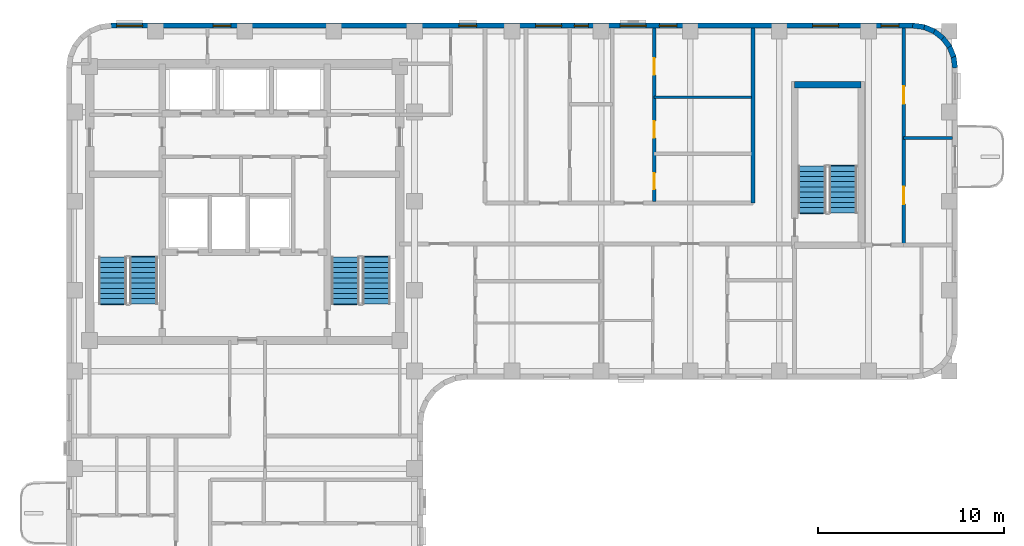
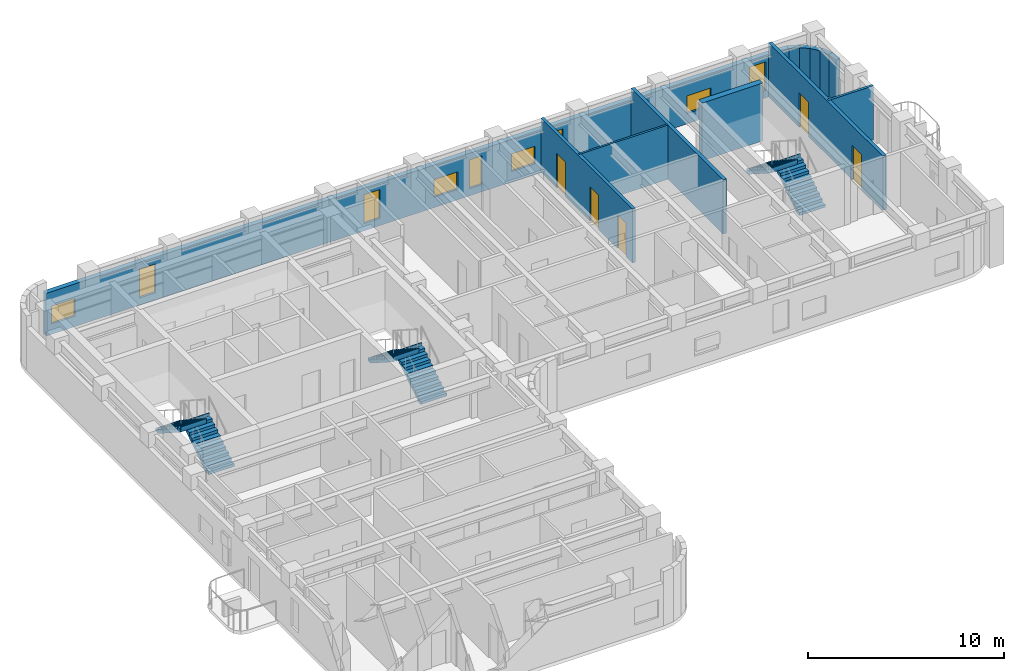
# One storey, part 7 of 10: 13 walls, 9 windows, 6 stair flights, 5 doors, 14 openings, 3 elements without a shape of their own.
"""IFC4 building model written with IfcOpenShell, lengths in metres."""

from ifc_helpers import new_model, si_unit, direction, frame, frame_2d, origin, place, context, subcontext, project, spatial, polyline, rectangle, outline, extrude, material, layer, layer_set, type_object, element, fill, aggregate, save


model = new_model("IFC4")

# Units and contexts
model_context = context("Model", 3, precision=1e-05, world=origin(), true_north=direction((0.0, 1.0)))
body_context = subcontext(model_context, "Body", "Model", "MODEL_VIEW")
ifc_project = project(units=[si_unit("LENGTHUNIT", "METRE"), si_unit("AREAUNIT", "SQUARE_METRE"), si_unit("VOLUMEUNIT", "CUBIC_METRE"), si_unit("PLANEANGLEUNIT", "RADIAN"), si_unit("MASSUNIT", "GRAM", prefix="KILO")], contexts=[model_context])

# Site, building, storey
site_placement = place(None, origin())
site = spatial("IfcSite", under=ifc_project, at=site_placement, CompositionType="ELEMENT")
building_placement = place(site_placement, origin())
building = spatial("IfcBuilding", under=site, at=building_placement, Name="Orvandelia Arch Residences", CompositionType="ELEMENT")
storey_placement = place(building_placement, frame((0.0, 0.0, 221.800048828125)))
storey = spatial("IfcBuildingStorey", under=building, at=storey_placement, Name="L58", CompositionType="ELEMENT", Elevation=221.800048828125)

# Walls
ifc_material_1 = material(Name="Concrete C50/60", Category="concrete")
ifc_layer_1 = layer(ifc_material_1, 0.35009765625, Name="Concrete C50/60", Category="concrete")
ifc_layer_set_1 = layer_set([ifc_layer_1], Name="Concrete C50/60")
wall_type_1 = type_object("IfcWallType", Name="WL-CORE-350", PredefinedType="SHEAR", material=ifc_layer_set_1)
wall_1_placement = place(storey_placement, frame((44.02001953125, 44.659912109375, 0.0), z_axis=(0.0, 0.0, 1.0), x_axis=(1.0, 0.0, 0.0)))
element("IfcWall", 1, at=wall_1_placement, inside=storey, type_object=wall_type_1, Name="East Stair Core Shear Wall L58-N", PredefinedType="SHEAR", context=body_context, shape_type="SweptSolid", body=[
    extrude(rectangle(XDim=3.580078125, YDim=0.35009765625, at=frame_2d((1.7900390625, 0.0))), origin(), (0.0, 0.0, 1.0), 3.599853515625),
])
ifc_material_2 = material(Name="Fire-Rated Corridor Partition")
ifc_layer_2 = layer(ifc_material_2, 0.199951171875, Name="Fire-Rated Corridor Partition")
ifc_layer_set_2 = layer_set([ifc_layer_2], Name="Fire-Rated Corridor Partition")
wall_type_2 = type_object("IfcWallType", Name="WL-CORR-200", PredefinedType="PARTITIONING", material=ifc_layer_set_2)
wall_2_placement = place(storey_placement, frame((41.780029296875, 38.300048828125, 0.0), z_axis=(0.0, 0.0, 1.0), x_axis=(0.0, 1.0, 0.0)))
element("IfcWall", 2, at=wall_2_placement, inside=storey, type_object=wall_type_2, Name="Interior Partition Wall WL-L58-ETV-W", PredefinedType="PARTITIONING", context=body_context, shape_type="SweptSolid", body=[
    extrude(rectangle(XDim=9.419921875, YDim=0.199951171875, at=frame_2d((4.7099609375, 0.0))), origin(), (0.0, 0.0, 1.0), 3.3798828125),
])

# Wall, openings, doors
wall_3_placement = place(storey_placement, frame((49.89990234375, 36.0400390625, 0.0), z_axis=(0.0, 0.0, 1.0), x_axis=(0.0, 1.0, 0.0)))
wall_3 = element("IfcWall", 3, at=wall_3_placement, inside=storey, type_object=wall_type_2, Name="Interior Partition Wall WL-L58-ETE-E", PredefinedType="PARTITIONING", context=body_context, shape_type="SweptSolid", body=[
    extrude(rectangle(XDim=11.679931640625, YDim=0.199951171875, at=frame_2d((5.83984375, 0.0))), origin(), (0.0, 0.0, 1.0), 3.3798828125),
])
opening_1_placement = place(wall_3_placement, frame((2.199951171875, 0.0, 0.0)))
opening_1 = element("IfcOpeningElement", 4, at=opening_1_placement, cuts=wall_3, Name="Opening D2", PredefinedType="OPENING", context=body_context, shape_type="SweptSolid", body=[
    extrude(rectangle(XDim=0.949951171875, YDim=2.14990234375, at=frame_2d((0.47509765625, 1.074951171875))), frame((0.0, 0.10986328125, 0.0), z_axis=(0.0, -1.0, 0.0), x_axis=(1.0, 0.0, 0.0)), (0.0, 0.0, 1.0), 0.219970703125),
])
opening_2_placement = place(wall_3_placement, frame((7.60009765625, 0.0, 0.0)))
opening_2 = element("IfcOpeningElement", 5, at=opening_2_placement, cuts=wall_3, Name="Opening D2", PredefinedType="OPENING", context=body_context, shape_type="SweptSolid", body=[
    extrude(rectangle(XDim=0.949951171875, YDim=2.14990234375, at=frame_2d((0.47509765625, 1.074951171875))), frame((0.0, 0.10986328125, 0.0), z_axis=(0.0, -1.0, 0.0), x_axis=(1.0, 0.0, 0.0)), (0.0, 0.0, 1.0), 0.219970703125),
])
ifc_material_3 = material(Name="Solid-Core Timber Interior Fire Door", Category="wood")
door_type_1 = type_object("IfcDoorType", Name="DR-APT-950", OperationType="NOTDEFINED", PredefinedType="DOOR", material=ifc_material_3)
door_1_placement = place(opening_1_placement, origin())
door_1 = element("IfcDoor", 6, at=door_1_placement, inside=storey, type_object=door_type_1, Name="DR-L58-EMTP1", OperationType="SINGLE_SWING_LEFT", OverallHeight=2.14990234375, OverallWidth=0.949951171875, PredefinedType="DOOR", context=body_context, shape_type="SweptSolid", body=[
    extrude(rectangle(XDim=0.949951171875, YDim=2.14990234375, at=frame_2d((0.47509765625, 1.074951171875))), frame((0.0, 0.02490234375, 0.0), z_axis=(0.0, -1.0, 0.0), x_axis=(1.0, 0.0, 0.0)), (0.0, 0.0, 1.0), 0.050048828125),
])
fill(opening_1, door_1)
door_2_placement = place(opening_2_placement, origin())
door_2 = element("IfcDoor", 7, at=door_2_placement, inside=storey, type_object=door_type_1, Name="DR-L58-EMTP2", OperationType="SINGLE_SWING_RIGHT", OverallHeight=2.14990234375, OverallWidth=0.949951171875, PredefinedType="DOOR", context=body_context, shape_type="SweptSolid", body=[
    extrude(rectangle(XDim=0.949951171875, YDim=2.14990234375, at=frame_2d((0.47509765625, 1.074951171875))), frame((0.0, 0.02490234375, 0.0), z_axis=(0.0, -1.0, 0.0), x_axis=(1.0, 0.0, 0.0)), (0.0, 0.0, 1.0), 0.050048828125),
])
fill(opening_2, door_2)

# Wall, openings, windows
ifc_material_4 = material(Name="Precast concrete C40/50", Category="concrete")
ifc_layer_3 = layer(ifc_material_4, 0.280029296875, Name="Precast concrete C40/50", Category="concrete")
ifc_layer_set_3 = layer_set([ifc_layer_3], Name="Precast concrete C40/50")
wall_type_3 = type_object("IfcWallType", Name="WL-EXT-STONE-280", PredefinedType="STANDARD", material=ifc_layer_set_3)
wall_4_placement = place(storey_placement, frame((7.199951171875, 47.860107421875, 0.0), z_axis=(0.0, 0.0, 1.0), x_axis=(1.0, 0.0, 0.0)))
wall_4 = element("IfcWall", 8, at=wall_4_placement, inside=storey, type_object=wall_type_3, Name="Coral-Limestone Precast Facade Wall L58-007", PredefinedType="STANDARD", context=body_context, shape_type="SweptSolid", body=[
    extrude(rectangle(XDim=43.199951171875, YDim=0.280029296875, at=frame_2d((21.60009765625, 0.0))), origin(), (0.0, 0.0, 1.0), 2.659912109375),
])
opening_3_placement = place(wall_4_placement, frame((22.8701171875, 0.0, 0.64990234375)))
opening_3 = element("IfcOpeningElement", 9, at=opening_3_placement, cuts=wall_4, Name="Opening W10", PredefinedType="OPENING", context=body_context, shape_type="SweptSolid", body=[
    extrude(rectangle(XDim=1.39990234375, YDim=1.10009765625, at=frame_2d((0.699951171875, 0.550048828125))), frame((0.0, 0.14990234375, 0.0), z_axis=(0.0, -1.0, 0.0), x_axis=(1.0, 0.0, 0.0)), (0.0, 0.0, 1.0), 0.300048828125),
])
opening_4_placement = place(wall_4_placement, frame((29.532470703125, 0.0, 0.449951171875)))
opening_4 = element("IfcOpeningElement", 10, at=opening_4_placement, cuts=wall_4, Name="Opening W4", PredefinedType="OPENING", context=body_context, shape_type="SweptSolid", body=[
    extrude(rectangle(XDim=0.949951171875, YDim=1.800048828125, at=frame_2d((0.47509765625, 0.89990234375))), frame((0.0, 0.14990234375, 0.0), z_axis=(0.0, -1.0, 0.0), x_axis=(1.0, 0.0, 0.0)), (0.0, 0.0, 1.0), 0.300048828125),
])
opening_5_placement = place(wall_4_placement, frame((18.739990234375, 0.0, 0.449951171875)))
opening_5 = element("IfcOpeningElement", 11, at=opening_5_placement, cuts=wall_4, Name="Opening W4", PredefinedType="OPENING", context=body_context, shape_type="SweptSolid", body=[
    extrude(rectangle(XDim=0.949951171875, YDim=1.800048828125, at=frame_2d((0.47509765625, 0.89990234375))), frame((0.0, 0.14990234375, 0.0), z_axis=(0.0, -1.0, 0.0), x_axis=(1.0, 0.0, 0.0)), (0.0, 0.0, 1.0), 0.300048828125),
])
opening_6_placement = place(wall_4_placement, frame((41.487548828125, 0.0, 0.449951171875)))
opening_6 = element("IfcOpeningElement", 12, at=opening_6_placement, cuts=wall_4, Name="Opening W4", PredefinedType="OPENING", context=body_context, shape_type="SweptSolid", body=[
    extrude(rectangle(XDim=0.949951171875, YDim=1.800048828125, at=frame_2d((0.47509765625, 0.89990234375))), frame((0.0, 0.14990234375, 0.0), z_axis=(0.0, -1.0, 0.0), x_axis=(1.0, 0.0, 0.0)), (0.0, 0.0, 1.0), 0.300048828125),
])
opening_7_placement = place(wall_4_placement, frame((37.798583984375, 0.0, 0.64990234375)))
opening_7 = element("IfcOpeningElement", 13, at=opening_7_placement, cuts=wall_4, Name="Opening W10", PredefinedType="OPENING", context=body_context, shape_type="SweptSolid", body=[
    extrude(rectangle(XDim=1.39990234375, YDim=1.10009765625, at=frame_2d((0.699951171875, 0.550048828125))), frame((0.0, 0.14990234375, 0.0), z_axis=(0.0, -1.0, 0.0), x_axis=(1.0, 0.0, 0.0)), (0.0, 0.0, 1.0), 0.300048828125),
])
opening_8_placement = place(wall_4_placement, frame((0.3076171875, 0.0, 0.64990234375)))
opening_8 = element("IfcOpeningElement", 14, at=opening_8_placement, cuts=wall_4, Name="Opening W10", PredefinedType="OPENING", context=body_context, shape_type="SweptSolid", body=[
    extrude(rectangle(XDim=1.39990234375, YDim=1.10009765625, at=frame_2d((0.699951171875, 0.550048828125))), frame((0.0, 0.14990234375, 0.0), z_axis=(0.0, -1.0, 0.0), x_axis=(1.0, 0.0, 0.0)), (0.0, 0.0, 1.0), 0.300048828125),
])
opening_9_placement = place(wall_4_placement, frame((5.50244140625, 0.0, 0.449951171875)))
opening_9 = element("IfcOpeningElement", 15, at=opening_9_placement, cuts=wall_4, Name="Opening W4", PredefinedType="OPENING", context=body_context, shape_type="SweptSolid", body=[
    extrude(rectangle(XDim=0.949951171875, YDim=1.800048828125, at=frame_2d((0.47509765625, 0.89990234375))), frame((0.0, 0.14990234375, 0.0), z_axis=(0.0, -1.0, 0.0), x_axis=(1.0, 0.0, 0.0)), (0.0, 0.0, 1.0), 0.300048828125),
])
opening_10_placement = place(wall_4_placement, frame((24.95751953125, 0.0, 0.449951171875)))
opening_10 = element("IfcOpeningElement", 16, at=opening_10_placement, cuts=wall_4, Name="Opening W11", PredefinedType="OPENING", context=body_context, shape_type="SweptSolid", body=[
    extrude(rectangle(XDim=0.75, YDim=1.800048828125, at=frame_2d((0.375, 0.89990234375))), frame((0.0, 0.14990234375, 0.0), z_axis=(0.0, -1.0, 0.0), x_axis=(1.0, 0.0, 0.0)), (0.0, 0.0, 1.0), 0.300048828125),
])
opening_11_placement = place(wall_4_placement, frame((27.429931640625, 0.0, 0.64990234375)))
opening_11 = element("IfcOpeningElement", 17, at=opening_11_placement, cuts=wall_4, Name="Opening W10", PredefinedType="OPENING", context=body_context, shape_type="SweptSolid", body=[
    extrude(rectangle(XDim=1.39990234375, YDim=1.10009765625, at=frame_2d((0.699951171875, 0.550048828125))), frame((0.0, 0.14990234375, 0.0), z_axis=(0.0, -1.0, 0.0), x_axis=(1.0, 0.0, 0.0)), (0.0, 0.0, 1.0), 0.300048828125),
])
ifc_material_5 = material(Name="Tempered Low-E Insulated Glazing", Category="glass")
window_type_1 = type_object("IfcWindowType", Name="WIN-BED-0750x1800", PartitioningType="SINGLE_PANEL", PredefinedType="WINDOW", material=ifc_material_5)
window_1_placement = place(opening_10_placement, origin())
window_1 = element("IfcWindow", 18, at=window_1_placement, inside=storey, type_object=window_type_1, Name="Recessed Punched Window L58-008", OverallHeight=1.800048828125, OverallWidth=0.75, PartitioningType="SINGLE_PANEL", PredefinedType="WINDOW", context=body_context, shape_type="SweptSolid", body=[
    extrude(rectangle(XDim=0.75, YDim=1.800048828125, at=frame_2d((0.375, 0.89990234375))), frame((0.0, 0.030029296875, 0.0), z_axis=(0.0, -1.0, 0.0), x_axis=(1.0, 0.0, 0.0)), (0.0, 0.0, 1.0), 0.06005859375),
])
fill(opening_10, window_1)
window_type_2 = type_object("IfcWindowType", Name="WIN-CLR-1400x1100", PartitioningType="SINGLE_PANEL", PredefinedType="WINDOW", material=ifc_material_5)
window_2_placement = place(opening_3_placement, origin())
window_2 = element("IfcWindow", 19, at=window_2_placement, inside=storey, type_object=window_type_2, Name="Recessed Punched Window L58-001", OverallHeight=1.10009765625, OverallWidth=1.39990234375, PartitioningType="SINGLE_PANEL", PredefinedType="WINDOW", context=body_context, shape_type="SweptSolid", body=[
    extrude(rectangle(XDim=1.39990234375, YDim=1.10009765625, at=frame_2d((0.699951171875, 0.550048828125))), frame((0.0, 0.030029296875, 0.0), z_axis=(0.0, -1.0, 0.0), x_axis=(1.0, 0.0, 0.0)), (0.0, 0.0, 1.0), 0.06005859375),
])
fill(opening_3, window_2)
window_3_placement = place(opening_7_placement, origin())
window_3 = element("IfcWindow", 20, at=window_3_placement, inside=storey, type_object=window_type_2, Name="Recessed Punched Window L58-005", OverallHeight=1.10009765625, OverallWidth=1.39990234375, PartitioningType="SINGLE_PANEL", PredefinedType="WINDOW", context=body_context, shape_type="SweptSolid", body=[
    extrude(rectangle(XDim=1.39990234375, YDim=1.10009765625, at=frame_2d((0.699951171875, 0.550048828125))), frame((0.0, 0.030029296875, 0.0), z_axis=(0.0, -1.0, 0.0), x_axis=(1.0, 0.0, 0.0)), (0.0, 0.0, 1.0), 0.06005859375),
])
fill(opening_7, window_3)
window_4_placement = place(opening_8_placement, origin())
window_4 = element("IfcWindow", 21, at=window_4_placement, inside=storey, type_object=window_type_2, Name="Recessed Punched Window L58-006", OverallHeight=1.10009765625, OverallWidth=1.39990234375, PartitioningType="SINGLE_PANEL", PredefinedType="WINDOW", context=body_context, shape_type="SweptSolid", body=[
    extrude(rectangle(XDim=1.39990234375, YDim=1.10009765625, at=frame_2d((0.699951171875, 0.550048828125))), frame((0.0, 0.030029296875, 0.0), z_axis=(0.0, -1.0, 0.0), x_axis=(1.0, 0.0, 0.0)), (0.0, 0.0, 1.0), 0.06005859375),
])
fill(opening_8, window_4)
window_5_placement = place(opening_11_placement, origin())
window_5 = element("IfcWindow", 22, at=window_5_placement, inside=storey, type_object=window_type_2, Name="Recessed Punched Window L58-009", OverallHeight=1.10009765625, OverallWidth=1.39990234375, PartitioningType="SINGLE_PANEL", PredefinedType="WINDOW", context=body_context, shape_type="SweptSolid", body=[
    extrude(rectangle(XDim=1.39990234375, YDim=1.10009765625, at=frame_2d((0.699951171875, 0.550048828125))), frame((0.0, 0.030029296875, 0.0), z_axis=(0.0, -1.0, 0.0), x_axis=(1.0, 0.0, 0.0)), (0.0, 0.0, 1.0), 0.06005859375),
])
fill(opening_11, window_5)
window_type_3 = type_object("IfcWindowType", Name="WIN-RES-0950x1800", PartitioningType="SINGLE_PANEL", PredefinedType="WINDOW", material=ifc_material_5)
window_6_placement = place(opening_4_placement, origin())
window_6 = element("IfcWindow", 23, at=window_6_placement, inside=storey, type_object=window_type_3, Name="Recessed Punched Window L58-002", OverallHeight=1.800048828125, OverallWidth=0.949951171875, PartitioningType="SINGLE_PANEL", PredefinedType="WINDOW", context=body_context, shape_type="SweptSolid", body=[
    extrude(rectangle(XDim=0.949951171875, YDim=1.800048828125, at=frame_2d((0.47509765625, 0.89990234375))), frame((0.0, 0.030029296875, 0.0), z_axis=(0.0, -1.0, 0.0), x_axis=(1.0, 0.0, 0.0)), (0.0, 0.0, 1.0), 0.06005859375),
])
fill(opening_4, window_6)
window_7_placement = place(opening_5_placement, origin())
window_7 = element("IfcWindow", 24, at=window_7_placement, inside=storey, type_object=window_type_3, Name="Recessed Punched Window L58-003", OverallHeight=1.800048828125, OverallWidth=0.949951171875, PartitioningType="SINGLE_PANEL", PredefinedType="WINDOW", context=body_context, shape_type="SweptSolid", body=[
    extrude(rectangle(XDim=0.949951171875, YDim=1.800048828125, at=frame_2d((0.47509765625, 0.89990234375))), frame((0.0, 0.030029296875, 0.0), z_axis=(0.0, -1.0, 0.0), x_axis=(1.0, 0.0, 0.0)), (0.0, 0.0, 1.0), 0.06005859375),
])
fill(opening_5, window_7)
window_8_placement = place(opening_6_placement, origin())
window_8 = element("IfcWindow", 25, at=window_8_placement, inside=storey, type_object=window_type_3, Name="Recessed Punched Window L58-004", OverallHeight=1.800048828125, OverallWidth=0.949951171875, PartitioningType="SINGLE_PANEL", PredefinedType="WINDOW", context=body_context, shape_type="SweptSolid", body=[
    extrude(rectangle(XDim=0.949951171875, YDim=1.800048828125, at=frame_2d((0.47509765625, 0.89990234375))), frame((0.0, 0.030029296875, 0.0), z_axis=(0.0, -1.0, 0.0), x_axis=(1.0, 0.0, 0.0)), (0.0, 0.0, 1.0), 0.06005859375),
])
fill(opening_6, window_8)
window_9_placement = place(opening_9_placement, origin())
window_9 = element("IfcWindow", 26, at=window_9_placement, inside=storey, type_object=window_type_3, Name="Recessed Punched Window L58-007", OverallHeight=1.800048828125, OverallWidth=0.949951171875, PartitioningType="SINGLE_PANEL", PredefinedType="WINDOW", context=body_context, shape_type="SweptSolid", body=[
    extrude(rectangle(XDim=0.949951171875, YDim=1.800048828125, at=frame_2d((0.47509765625, 0.89990234375))), frame((0.0, 0.030029296875, 0.0), z_axis=(0.0, -1.0, 0.0), x_axis=(1.0, 0.0, 0.0)), (0.0, 0.0, 1.0), 0.06005859375),
])
fill(opening_9, window_9)

# Walls
wall_5_placement = place(storey_placement, frame((50.381591796875, 47.861083984375, 0.0), z_axis=(0.0, 0.0, 1.0), x_axis=(0.991447664465, -0.130504898859, 0.0)))
element("IfcWall", 27, at=wall_5_placement, inside=storey, type_object=wall_type_3, Name="Coral-Limestone Precast Facade Wall L58-008", PredefinedType="STANDARD", context=body_context, shape_type="SweptSolid", body=[
    extrude(rectangle(XDim=0.626708984375, YDim=0.280029296875, at=frame_2d((0.3134765625, 0.0))), origin(), (0.0, 0.0, 1.0), 2.659912109375),
])
for number, where, z_axis, x_axis, name in (
    (28, (50.967529296875, 47.788818359375, 0.0), (0.0, 0.0, 1.0), (0.924031075431, -0.382317370307, 0.0), "Coral-Limestone Precast Facade Wall L58-009"),
    (29, (51.514892578125, 47.5673828125, 0.0), (0.0, 0.0, 1.0), (0.793405610854, -0.608693302629, 0.0), "Coral-Limestone Precast Facade Wall L58-010"),
    (30, (51.986083984375, 47.2119140625, 0.0), (0.0, 0.0, 1.0), (0.608693302629, -0.793405610854, 0.0), "Coral-Limestone Precast Facade Wall L58-011"),
    (31, (52.34912109375, 46.746337890625, 0.0), (0.0, 0.0, 1.0), (0.382650053678, -0.92389335771, 0.0), "Coral-Limestone Precast Facade Wall L58-012"),
    (32, (52.579345703125, 46.202880859375, 0.0), (0.0, 0.0, 1.0), (0.130555323746, -0.9914410257, 0.0), "Coral-Limestone Precast Facade Wall L58-013"),
):
    element("IfcWall", number, at=place(storey_placement, frame(where, z_axis=z_axis, x_axis=x_axis)), inside=storey, type_object=wall_type_3, Name=name, PredefinedType="STANDARD", context=body_context, shape_type="SweptSolid", body=[
        extrude(rectangle(XDim=0.62646484375, YDim=0.280029296875, at=frame_2d((0.313232421875, 0.0))), origin(), (0.0, 0.0, 1.0), 2.659912109375),
    ])
ifc_material_6 = material(Name="Lightweight Gypsum Stud Partition")
ifc_layer_4 = layer(ifc_material_6, 0.1201171875, Name="Lightweight Gypsum Stud Partition")
ifc_layer_set_4 = layer_set([ifc_layer_4], Name="Lightweight Gypsum Stud Partition")
wall_type_4 = type_object("IfcWallType", Name="WL-PART-120", PredefinedType="PARTITIONING", material=ifc_layer_set_4)
wall_6_placement = place(storey_placement, frame((36.4599609375, 43.99609375, 0.0), z_axis=(0.0, 0.0, 1.0), x_axis=(1.0, 0.0, 0.0)))
element("IfcWall", 33, at=wall_6_placement, inside=storey, type_object=wall_type_4, Name="Interior Partition Wall WL-L58-U08-H2", PredefinedType="PARTITIONING", context=body_context, shape_type="SweptSolid", body=[
    extrude(rectangle(XDim=5.239990234375, YDim=0.1201171875, at=frame_2d((2.6201171875, 0.0))), origin(), (0.0, 0.0, 1.0), 3.3798828125),
])
ifc_material_7 = material(Name="Acoustic Gypsum Stud Partition")
ifc_layer_5 = layer(ifc_material_7, 0.14990234375, Name="Acoustic Gypsum Stud Partition")
ifc_layer_set_5 = layer_set([ifc_layer_5], Name="Acoustic Gypsum Stud Partition")
wall_type_5 = type_object("IfcWallType", Name="WL-PART-150", PredefinedType="PARTITIONING", material=ifc_layer_set_5)
wall_7_placement = place(storey_placement, frame((49.89990234375, 41.800048828125, 0.0), z_axis=(0.0, 0.0, 1.0), x_axis=(1.0, 0.0, 0.0)))
element("IfcWall", 34, at=wall_7_placement, inside=storey, type_object=wall_type_5, Name="Interior Partition Wall WL-L58-EMTIP-M", PredefinedType="PARTITIONING", context=body_context, shape_type="SweptSolid", body=[
    extrude(rectangle(XDim=2.6201171875, YDim=0.14990234375, at=frame_2d((1.31005859375, 0.0))), origin(), (0.0, 0.0, 1.0), 3.3798828125),
])

# Wall, openings, doors
ifc_material_8 = material(Name="Moisture-Resistant Plumbing Wall")
ifc_layer_6 = layer(ifc_material_8, 0.179931640625, Name="Moisture-Resistant Plumbing Wall")
ifc_layer_set_6 = layer_set([ifc_layer_6], Name="Moisture-Resistant Plumbing Wall")
wall_type_6 = type_object("IfcWallType", Name="WL-WET-180", PredefinedType="PLUMBINGWALL", material=ifc_layer_set_6)
wall_8_placement = place(storey_placement, frame((36.4599609375, 38.3798828125, 0.0), z_axis=(0.0, 0.0, 1.0), x_axis=(0.0, 1.0, 0.0)))
wall_8 = element("IfcWall", 35, at=wall_8_placement, inside=storey, type_object=wall_type_6, Name="Interior Partition Wall WL-L58-U08-VT", PredefinedType="PLUMBINGWALL", context=body_context, shape_type="SweptSolid", body=[
    extrude(rectangle(XDim=9.340087890625, YDim=0.179931640625, at=frame_2d((4.669921875, 0.0))), origin(), (0.0, 0.0, 1.0), 3.3798828125),
])
opening_12_placement = place(wall_8_placement, frame((0.66748046875, 0.0, 0.0)))
opening_12 = element("IfcOpeningElement", 36, at=opening_12_placement, cuts=wall_8, Name="Opening D4", PredefinedType="OPENING", context=body_context, shape_type="SweptSolid", body=[
    extrude(rectangle(XDim=0.860107421875, YDim=2.10009765625, at=frame_2d((0.43017578125, 1.050048828125))), frame((0.0, 0.10009765625, 0.0), z_axis=(0.0, -1.0, 0.0), x_axis=(1.0, 0.0, 0.0)), (0.0, 0.0, 1.0), 0.199951171875),
])
opening_13_placement = place(wall_8_placement, frame((3.430419921875, 0.0, 0.0)))
opening_13 = element("IfcOpeningElement", 37, at=opening_13_placement, cuts=wall_8, Name="Opening D3", PredefinedType="OPENING", context=body_context, shape_type="SweptSolid", body=[
    extrude(rectangle(XDim=0.89990234375, YDim=2.14990234375, at=frame_2d((0.449951171875, 1.074951171875))), frame((0.0, 0.10009765625, 0.0), z_axis=(0.0, -1.0, 0.0), x_axis=(1.0, 0.0, 0.0)), (0.0, 0.0, 1.0), 0.199951171875),
])
opening_14_placement = place(wall_8_placement, frame((6.828369140625, 0.0, 0.0)))
opening_14 = element("IfcOpeningElement", 38, at=opening_14_placement, cuts=wall_8, Name="Opening D3", PredefinedType="OPENING", context=body_context, shape_type="SweptSolid", body=[
    extrude(rectangle(XDim=0.89990234375, YDim=2.14990234375, at=frame_2d((0.449951171875, 1.074951171875))), frame((0.0, 0.10009765625, 0.0), z_axis=(0.0, -1.0, 0.0), x_axis=(1.0, 0.0, 0.0)), (0.0, 0.0, 1.0), 0.199951171875),
])
ifc_material_9 = material(Name="Engineered Timber Flush Door", Category="wood")
door_type_2 = type_object("IfcDoorType", Name="DR-INT-900", OperationType="NOTDEFINED", PredefinedType="DOOR", material=ifc_material_9)
door_3_placement = place(opening_13_placement, origin())
door_3 = element("IfcDoor", 39, at=door_3_placement, inside=storey, type_object=door_type_2, Name="DR-L58-U08-KIT", OperationType="SINGLE_SWING_RIGHT", OverallHeight=2.14990234375, OverallWidth=0.89990234375, PredefinedType="DOOR", context=body_context, shape_type="SweptSolid", body=[
    extrude(rectangle(XDim=0.89990234375, YDim=2.14990234375, at=frame_2d((0.449951171875, 1.074951171875))), frame((0.0, 0.02490234375, 0.0), z_axis=(0.0, -1.0, 0.0), x_axis=(1.0, 0.0, 0.0)), (0.0, 0.0, 1.0), 0.050048828125),
])
fill(opening_13, door_3)
door_4_placement = place(opening_14_placement, origin())
door_4 = element("IfcDoor", 40, at=door_4_placement, inside=storey, type_object=door_type_2, Name="DR-L58-U08-BD1", OperationType="SINGLE_SWING_LEFT", OverallHeight=2.14990234375, OverallWidth=0.89990234375, PredefinedType="DOOR", context=body_context, shape_type="SweptSolid", body=[
    extrude(rectangle(XDim=0.89990234375, YDim=2.14990234375, at=frame_2d((0.449951171875, 1.074951171875))), frame((0.0, 0.02490234375, 0.0), z_axis=(0.0, -1.0, 0.0), x_axis=(1.0, 0.0, 0.0)), (0.0, 0.0, 1.0), 0.050048828125),
])
fill(opening_14, door_4)
ifc_material_10 = material(Name="Moisture-Sealed Timber Bathroom Door", Category="wood")
door_type_3 = type_object("IfcDoorType", Name="DR-WET-900", OperationType="NOTDEFINED", PredefinedType="DOOR", material=ifc_material_10)
door_5_placement = place(opening_12_placement, origin())
door_5 = element("IfcDoor", 41, at=door_5_placement, inside=storey, type_object=door_type_3, Name="DR-L58-U08-BTH", OperationType="SINGLE_SWING_LEFT", OverallHeight=2.10009765625, OverallWidth=0.860107421875, PredefinedType="DOOR", context=body_context, shape_type="SweptSolid", body=[
    extrude(rectangle(XDim=0.860107421875, YDim=2.10009765625, at=frame_2d((0.43017578125, 1.050048828125))), frame((0.0, 0.02490234375, 0.0), z_axis=(0.0, -1.0, 0.0), x_axis=(1.0, 0.0, 0.0)), (0.0, 0.0, 1.0), 0.050048828125),
])
fill(opening_12, door_5)

# Stair, stair flights
ifc_material_11 = material(Name="Concrete C40/50", Category="concrete")
stair_type = type_object("IfcStairType", Name="STAIR-RC-DOGLEG", PredefinedType="HALF_TURN_STAIR", material=ifc_material_11)
stair_1_placement = place(storey_placement, origin())
stair_1 = element("IfcStair", 42, at=stair_1_placement, inside=storey, type_object=stair_type, Name="L58 Protected Exit Stair ST-1", PredefinedType="HALF_TURN_STAIR")
stair_flight_type = type_object("IfcStairFlightType", Name="STFLT-RC-1520", PredefinedType="STRAIGHT", material=ifc_material_11)
stair_flight_1_placement = place(storey_placement, frame((8.9599609375, 32.8701171875, 0.0), z_axis=(0.0, 0.0, 1.0), x_axis=(0.0, 1.0, 0.0)))
stair_flight_1 = element("IfcStairFlight", 43, at=stair_flight_1_placement, type_object=stair_flight_type, Name="ST-1 flight 1", NumberOfRisers=10, NumberOfTreads=9, PredefinedType="STRAIGHT", RiserHeight=0.18, TreadLength=0.28, context=body_context, shape_type="SweptSolid", body=[
    extrude(outline(polyline([(0.0, 0.0), (0.0, 0.179931640625), (0.280029296875, 0.179931640625), (0.280029296875, 0.360107421875), (0.56005859375, 0.360107421875), (0.56005859375, 0.5400390625), (0.840087890625, 0.5400390625), (0.840087890625, 0.719970703125), (1.1201171875, 0.719970703125), (1.1201171875, 0.89990234375), (1.39990234375, 0.89990234375), (1.39990234375, 1.080078125), (1.679931640625, 1.080078125), (1.679931640625, 1.260009765625), (1.9599609375, 1.260009765625), (1.9599609375, 1.43994140625), (2.239990234375, 1.43994140625), (2.239990234375, 1.6201171875), (2.52001953125, 1.6201171875), (2.52001953125, 1.800048828125), (2.580078125, 1.800048828125), (2.580078125, 1.6201171875), (2.52001953125, 1.44189453125), (0.277099609375, 0.0), (0.0, 0.0)])), frame((0.0, 0.760009765625, 0.0), z_axis=(0.0, -1.0, 0.0), x_axis=(1.0, 0.0, 0.0)), (0.0, 0.0, 1.0), 1.52001953125),
])
stair_flight_2_placement = place(storey_placement, frame((7.2900390625, 35.389892578125, 1.800048828125), z_axis=(0.0, 0.0, 1.0), x_axis=(0.0, -1.0, 0.0)))
stair_flight_2 = element("IfcStairFlight", 44, at=stair_flight_2_placement, type_object=stair_flight_type, Name="ST-1 flight 2", NumberOfRisers=10, NumberOfTreads=9, PredefinedType="STRAIGHT", RiserHeight=0.18, TreadLength=0.28, context=body_context, shape_type="SweptSolid", body=[
    extrude(outline(polyline([(0.0, 0.0), (0.0, 0.179931640625), (0.280029296875, 0.179931640625), (0.280029296875, 0.360107421875), (0.56005859375, 0.360107421875), (0.56005859375, 0.5400390625), (0.840087890625, 0.5400390625), (0.840087890625, 0.719970703125), (1.1201171875, 0.719970703125), (1.1201171875, 0.89990234375), (1.39990234375, 0.89990234375), (1.39990234375, 1.080078125), (1.679931640625, 1.080078125), (1.679931640625, 1.260009765625), (1.9599609375, 1.260009765625), (1.9599609375, 1.43994140625), (2.239990234375, 1.43994140625), (2.239990234375, 1.6201171875), (2.52001953125, 1.6201171875), (2.52001953125, 1.800048828125), (2.580078125, 1.800048828125), (2.580078125, 1.6201171875), (2.52001953125, 1.44189453125), (0.277099609375, 0.0), (0.0, 0.0)])), frame((0.0, 0.760009765625, 0.0), z_axis=(0.0, -1.0, 0.0), x_axis=(1.0, 0.0, 0.0)), (0.0, 0.0, 1.0), 1.52001953125),
])
aggregate(stair_1, [stair_flight_1, stair_flight_2])

stair_2_placement = place(storey_placement, origin())
stair_2 = element("IfcStair", 45, at=stair_2_placement, inside=storey, type_object=stair_type, Name="L58 Protected Exit Stair ST-2", PredefinedType="HALF_TURN_STAIR")
stair_flight_3_placement = place(storey_placement, frame((21.489990234375, 32.8701171875, 0.0), z_axis=(0.0, 0.0, 1.0), x_axis=(0.0, 1.0, 0.0)))
stair_flight_3 = element("IfcStairFlight", 46, at=stair_flight_3_placement, type_object=stair_flight_type, Name="ST-2 flight 1", NumberOfRisers=10, NumberOfTreads=9, PredefinedType="STRAIGHT", RiserHeight=0.18, TreadLength=0.28, context=body_context, shape_type="SweptSolid", body=[
    extrude(outline(polyline([(0.0, 0.0), (0.0, 0.179931640625), (0.280029296875, 0.179931640625), (0.280029296875, 0.360107421875), (0.56005859375, 0.360107421875), (0.56005859375, 0.5400390625), (0.840087890625, 0.5400390625), (0.840087890625, 0.719970703125), (1.1201171875, 0.719970703125), (1.1201171875, 0.89990234375), (1.39990234375, 0.89990234375), (1.39990234375, 1.080078125), (1.679931640625, 1.080078125), (1.679931640625, 1.260009765625), (1.9599609375, 1.260009765625), (1.9599609375, 1.43994140625), (2.239990234375, 1.43994140625), (2.239990234375, 1.6201171875), (2.52001953125, 1.6201171875), (2.52001953125, 1.800048828125), (2.580078125, 1.800048828125), (2.580078125, 1.6201171875), (2.52001953125, 1.44189453125), (0.277099609375, 0.0), (0.0, 0.0)])), frame((0.0, 0.760009765625, 0.0), z_axis=(0.0, -1.0, 0.0), x_axis=(1.0, 0.0, 0.0)), (0.0, 0.0, 1.0), 1.52001953125),
])
stair_flight_4_placement = place(storey_placement, frame((19.820068359375, 35.389892578125, 1.800048828125), z_axis=(0.0, 0.0, 1.0), x_axis=(0.0, -1.0, 0.0)))
stair_flight_4 = element("IfcStairFlight", 47, at=stair_flight_4_placement, type_object=stair_flight_type, Name="ST-2 flight 2", NumberOfRisers=10, NumberOfTreads=9, PredefinedType="STRAIGHT", RiserHeight=0.18, TreadLength=0.28, context=body_context, shape_type="SweptSolid", body=[
    extrude(outline(polyline([(0.0, 0.0), (0.0, 0.179931640625), (0.280029296875, 0.179931640625), (0.280029296875, 0.360107421875), (0.56005859375, 0.360107421875), (0.56005859375, 0.5400390625), (0.840087890625, 0.5400390625), (0.840087890625, 0.719970703125), (1.1201171875, 0.719970703125), (1.1201171875, 0.89990234375), (1.39990234375, 0.89990234375), (1.39990234375, 1.080078125), (1.679931640625, 1.080078125), (1.679931640625, 1.260009765625), (1.9599609375, 1.260009765625), (1.9599609375, 1.43994140625), (2.239990234375, 1.43994140625), (2.239990234375, 1.6201171875), (2.52001953125, 1.6201171875), (2.52001953125, 1.800048828125), (2.580078125, 1.800048828125), (2.580078125, 1.6201171875), (2.52001953125, 1.44189453125), (0.277099609375, 0.0), (0.0, 0.0)])), frame((0.0, 0.760009765625, 0.0), z_axis=(0.0, -1.0, 0.0), x_axis=(1.0, 0.0, 0.0)), (0.0, 0.0, 1.0), 1.52001953125),
])
aggregate(stair_2, [stair_flight_3, stair_flight_4])

stair_3_placement = place(storey_placement, origin())
stair_3 = element("IfcStair", 48, at=stair_3_placement, inside=storey, type_object=stair_type, Name="L58 East Wing Exit Stair ST-3", PredefinedType="HALF_TURN_STAIR")
stair_flight_5_placement = place(storey_placement, frame((46.639892578125, 37.77001953125, 0.0), z_axis=(0.0, 0.0, 1.0), x_axis=(0.0, 1.0, 0.0)))
stair_flight_5 = element("IfcStairFlight", 49, at=stair_flight_5_placement, type_object=stair_flight_type, Name="ST-3 flight 1", NumberOfRisers=10, NumberOfTreads=9, PredefinedType="STRAIGHT", RiserHeight=0.18, TreadLength=0.28, context=body_context, shape_type="SweptSolid", body=[
    extrude(outline(polyline([(0.0, 0.0), (0.0, 0.179931640625), (0.280029296875, 0.179931640625), (0.280029296875, 0.360107421875), (0.56005859375, 0.360107421875), (0.56005859375, 0.5400390625), (0.840087890625, 0.5400390625), (0.840087890625, 0.719970703125), (1.1201171875, 0.719970703125), (1.1201171875, 0.89990234375), (1.39990234375, 0.89990234375), (1.39990234375, 1.080078125), (1.679931640625, 1.080078125), (1.679931640625, 1.260009765625), (1.9599609375, 1.260009765625), (1.9599609375, 1.43994140625), (2.239990234375, 1.43994140625), (2.239990234375, 1.6201171875), (2.52001953125, 1.6201171875), (2.52001953125, 1.800048828125), (2.580078125, 1.800048828125), (2.580078125, 1.6201171875), (2.52001953125, 1.44189453125), (0.277099609375, 0.0), (0.0, 0.0)])), frame((0.0, 0.760009765625, 0.0), z_axis=(0.0, -1.0, 0.0), x_axis=(1.0, 0.0, 0.0)), (0.0, 0.0, 1.0), 1.52001953125),
])
stair_flight_6_placement = place(storey_placement, frame((44.969970703125, 40.2900390625, 1.800048828125), z_axis=(0.0, 0.0, 1.0), x_axis=(0.0, -1.0, 0.0)))
stair_flight_6 = element("IfcStairFlight", 50, at=stair_flight_6_placement, type_object=stair_flight_type, Name="ST-3 flight 2", NumberOfRisers=10, NumberOfTreads=9, PredefinedType="STRAIGHT", RiserHeight=0.18, TreadLength=0.28, context=body_context, shape_type="SweptSolid", body=[
    extrude(outline(polyline([(0.0, 0.0), (0.0, 0.179931640625), (0.280029296875, 0.179931640625), (0.280029296875, 0.360107421875), (0.56005859375, 0.360107421875), (0.56005859375, 0.5400390625), (0.840087890625, 0.5400390625), (0.840087890625, 0.719970703125), (1.1201171875, 0.719970703125), (1.1201171875, 0.89990234375), (1.39990234375, 0.89990234375), (1.39990234375, 1.080078125), (1.679931640625, 1.080078125), (1.679931640625, 1.260009765625), (1.9599609375, 1.260009765625), (1.9599609375, 1.43994140625), (2.239990234375, 1.43994140625), (2.239990234375, 1.6201171875), (2.52001953125, 1.6201171875), (2.52001953125, 1.800048828125), (2.580078125, 1.800048828125), (2.580078125, 1.6201171875), (2.52001953125, 1.44189453125), (0.277099609375, 0.0), (0.0, 0.0)])), frame((0.0, 0.760009765625, 0.0), z_axis=(0.0, -1.0, 0.0), x_axis=(1.0, 0.0, 0.0)), (0.0, 0.0, 1.0), 1.52001953125),
])
aggregate(stair_3, [stair_flight_5, stair_flight_6])

save(model, "model.ifc")
